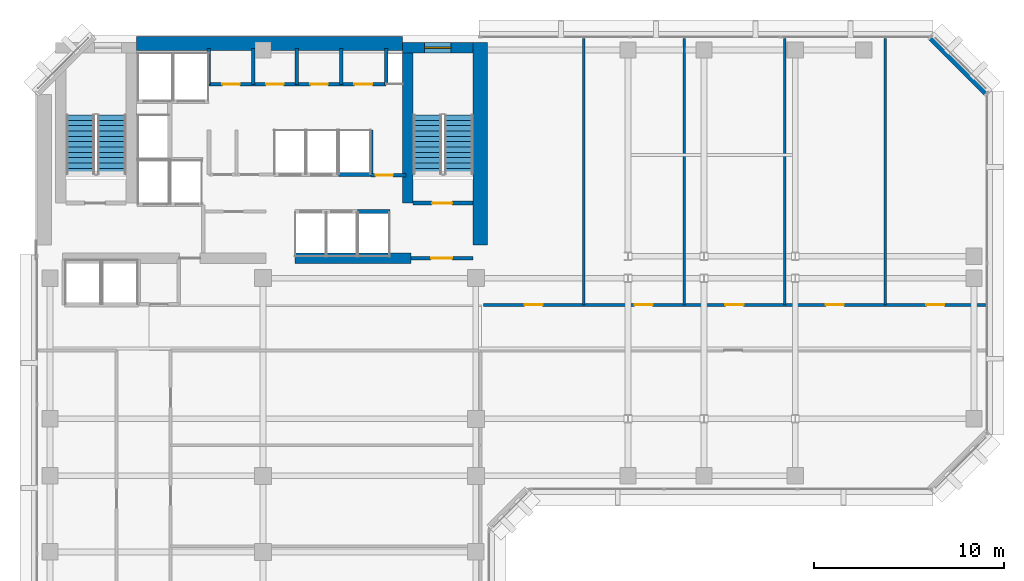
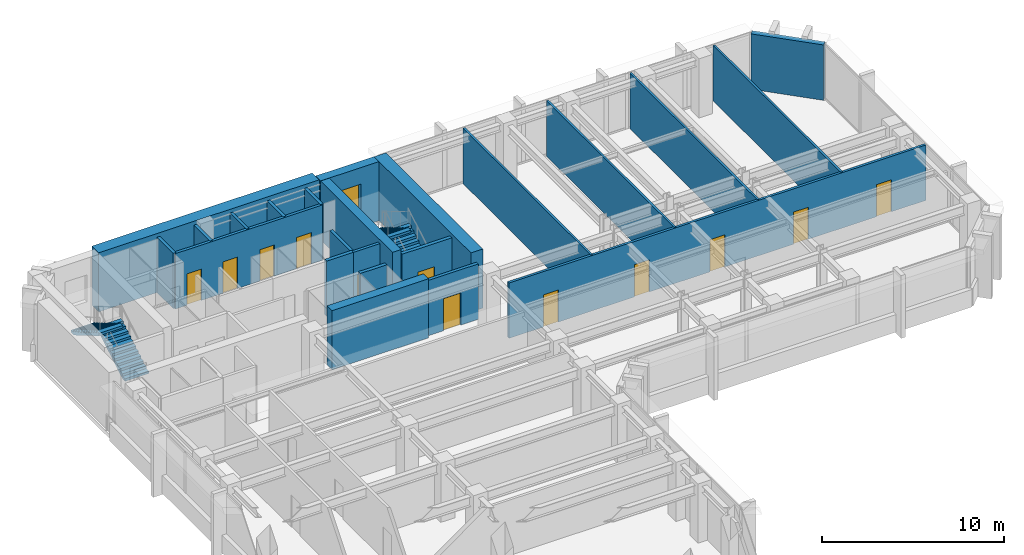
# One storey, part 8 of 11: 23 walls, 12 doors, 4 stair flights, 1 window, 13 openings, 2 elements without a shape of their own.
"""IFC4 building model written with IfcOpenShell, lengths in metres."""

from ifc_helpers import new_model, si_unit, direction, frame, frame_2d, origin, place, context, subcontext, project, spatial, polyline, rectangle, outline, extrude, material, layer, layer_set, type_object, element, fill, aggregate, save


model = new_model("IFC4")

# Units and contexts
model_context = context("Model", 3, precision=1e-05, world=origin(), true_north=direction((0.0, 1.0)))
body_context = subcontext(model_context, "Body", "Model", "MODEL_VIEW")
ifc_project = project(units=[si_unit("LENGTHUNIT", "METRE"), si_unit("AREAUNIT", "SQUARE_METRE"), si_unit("VOLUMEUNIT", "CUBIC_METRE"), si_unit("PLANEANGLEUNIT", "RADIAN"), si_unit("MASSUNIT", "GRAM", prefix="KILO")], contexts=[model_context])

# Site, building, storey
site_placement = place(None, origin())
site = spatial("IfcSite", under=ifc_project, at=site_placement, CompositionType="ELEMENT")
building_placement = place(site_placement, origin())
building = spatial("IfcBuilding", under=site, at=building_placement, Name="Kefirva Bronze Tower", CompositionType="ELEMENT")
storey_placement = place(building_placement, frame((0.0, 0.0, 187.43994140625)))
storey = spatial("IfcBuildingStorey", under=building, at=storey_placement, Name="L45", CompositionType="ELEMENT", Elevation=187.43994140625)

# Walls
ifc_material_1 = material(Name="Gypsum acoustic partition")
ifc_layer_1 = layer(ifc_material_1, 0.1298828125, Name="Gypsum acoustic partition")
ifc_layer_set_1 = layer_set([ifc_layer_1], Name="Gypsum acoustic partition")
wall_type_1 = type_object("IfcWallType", Name="Acoustic Office Partition 130mm", PredefinedType="PARTITIONING", material=ifc_layer_set_1)
for number, where, z_axis, x_axis, name in (
    (1, (28.882080078125, 31.800048828125, 0.0), (0.0, 0.0, 1.0), (0.0, 1.0, 0.0), "L45 Partition W-L45-END1"),
    (2, (34.1640625, 31.800048828125, 0.0), (0.0, 0.0, 1.0), (0.0, 1.0, 0.0), "L45 Partition W-L45-END2"),
    (3, (39.446044921875, 31.800048828125, 0.0), (0.0, 0.0, 1.0), (0.0, 1.0, 0.0), "L45 Partition W-L45-END3"),
    (4, (44.72802734375, 31.800048828125, 0.0), (0.0, 0.0, 1.0), (0.0, 1.0, 0.0), "L45 Partition W-L45-END4"),
):
    element("IfcWall", number, at=place(storey_placement, frame(where, z_axis=z_axis, x_axis=x_axis)), inside=storey, type_object=wall_type_1, Name=name, PredefinedType="PARTITIONING", context=body_context, shape_type="SweptSolid", body=[
        extrude(rectangle(XDim=14.010009765625, YDim=0.1298828125, at=frame_2d((7.0048828125, 0.0))), origin(), (0.0, 0.0, 1.0), 3.7099609375),
    ])

# Wall, opening, door
ifc_material_2 = material(Name="Gypsum fireboard shaftwall")
ifc_layer_2 = layer(ifc_material_2, 0.219970703125, Name="Gypsum fireboard shaftwall")
ifc_layer_set_2 = layer_set([ifc_layer_2], Name="Gypsum fireboard shaftwall")
wall_type_2 = type_object("IfcWallType", Name="Fire-Rated Shaft Enclosure Wall 220mm", PredefinedType="PARTITIONING", material=ifc_layer_set_2)
wall_1_placement = place(storey_placement, frame((19.89990234375, 37.14990234375, 0.0), z_axis=(0.0, 0.0, 1.0), x_axis=(1.0, 0.0, 0.0)))
wall_1 = element("IfcWall", 5, at=wall_1_placement, inside=storey, type_object=wall_type_2, Name="L45 Partition W-L45-ST2S", PredefinedType="PARTITIONING", context=body_context, shape_type="SweptSolid", body=[
    extrude(rectangle(XDim=3.150146484375, YDim=0.219970703125, at=frame_2d((1.5751953125, 0.0))), origin(), (0.0, 0.0, 1.0), 3.7099609375),
])
opening_1_placement = place(wall_1_placement, frame((2.050048828125, 0.0, 0.0), z_axis=(0.0, 0.0, 1.0), x_axis=(-1.0, 0.0, 0.0)))
opening_1 = element("IfcOpeningElement", 6, at=opening_1_placement, cuts=wall_1, Name="Opening L45-D003", PredefinedType="OPENING", context=body_context, shape_type="SweptSolid", body=[
    extrude(rectangle(XDim=1.050048828125, YDim=2.14990234375, at=frame_2d((0.52490234375, 1.074951171875))), frame((0.0, 0.1201171875, 0.0), z_axis=(0.0, -1.0, 0.0), x_axis=(1.0, 0.0, 0.0)), (0.0, 0.0, 1.0), 0.239990234375),
])
ifc_material_3 = material(Name="Painted galvanized steel", Category="steel")
door_type_1 = type_object("IfcDoorType", Name="Fire Stair Enclosure Door 1050x2150 FD90S", OperationType="NOTDEFINED", PredefinedType="DOOR", material=ifc_material_3)
door_1_placement = place(opening_1_placement, origin())
door_1 = element("IfcDoor", 7, at=door_1_placement, inside=storey, type_object=door_type_1, Name="Door L45-D003", OperationType="SINGLE_SWING_LEFT", OverallHeight=2.14990234375, OverallWidth=1.050048828125, PredefinedType="DOOR", context=body_context, shape_type="SweptSolid", body=[
    extrude(rectangle(XDim=1.050048828125, YDim=2.14990234375, at=frame_2d((0.52490234375, 1.074951171875))), frame((0.0, 0.02490234375, 0.0), z_axis=(0.0, -1.0, 0.0), x_axis=(1.0, 0.0, 0.0)), (0.0, 0.0, 1.0), 0.050048828125),
])
fill(opening_1, door_1)

# Walls
wall_2_placement = place(storey_placement, frame((17.679931640625, 38.64990234375, 0.0), z_axis=(0.0, 0.0, 1.0), x_axis=(0.0, 1.0, 0.0)))
element("IfcWall", 8, at=wall_2_placement, inside=storey, type_object=wall_type_2, Name="L45 Partition W-L45-HP2E", PredefinedType="PARTITIONING", context=body_context, shape_type="SweptSolid", body=[
    extrude(rectangle(XDim=2.35009765625, YDim=0.199951171875, at=frame_2d((1.175048828125, 0.0))), origin(), (0.0, 0.0, 1.0), 3.7099609375),
])
wall_3_placement = place(storey_placement, frame((16.97998046875, 36.699951171875, 0.0), z_axis=(0.0, 0.0, 1.0), x_axis=(1.0, 0.0, 0.0)))
element("IfcWall", 9, at=wall_3_placement, inside=storey, type_object=wall_type_2, Name="L45 Partition W-L45-HPS", PredefinedType="PARTITIONING", context=body_context, shape_type="SweptSolid", body=[
    extrude(rectangle(XDim=1.699951171875, YDim=0.219970703125, at=frame_2d((0.85009765625, 0.0))), origin(), (0.0, 0.0, 1.0), 3.7099609375),
])
wall_4_placement = place(storey_placement, frame((15.97998046875, 38.64990234375, 0.0), z_axis=(0.0, 0.0, 1.0), x_axis=(1.0, 0.0, 0.0)))
element("IfcWall", 10, at=wall_4_placement, inside=storey, type_object=wall_type_2, Name="L45 Partition W-L45-HPN", PredefinedType="PARTITIONING", context=body_context, shape_type="SweptSolid", body=[
    extrude(rectangle(XDim=1.719970703125, YDim=0.219970703125, at=frame_2d((0.85986328125, 0.0))), origin(), (0.0, 0.0, 1.0), 3.7099609375),
])

# Wall, opening, door
ifc_material_4 = material(Name="Gypsum fireboard barrier")
ifc_layer_3 = layer(ifc_material_4, 0.199951171875, Name="Gypsum fireboard barrier")
ifc_layer_set_3 = layer_set([ifc_layer_3], Name="Gypsum fireboard barrier")
wall_type_3 = type_object("IfcWallType", Name="Firefighting Lobby Barrier Wall 200mm", PredefinedType="PARTITIONING", material=ifc_layer_set_3)
wall_5_placement = place(storey_placement, frame((19.800048828125, 34.25, 0.0), z_axis=(0.0, 0.0, 1.0), x_axis=(1.0, 0.0, 0.0)))
wall_5 = element("IfcWall", 11, at=wall_5_placement, inside=storey, type_object=wall_type_3, Name="L45 Partition W-L45-ST2F", PredefinedType="PARTITIONING", context=body_context, shape_type="SweptSolid", body=[
    extrude(rectangle(XDim=3.25, YDim=0.199951171875, at=frame_2d((1.625, 0.0))), origin(), (0.0, 0.0, 1.0), 3.7099609375),
])
opening_2_placement = place(wall_5_placement, frame((2.150146484375, 0.0, 0.0), z_axis=(0.0, 0.0, 1.0), x_axis=(-1.0, 0.0, 0.0)))
opening_2 = element("IfcOpeningElement", 12, at=opening_2_placement, cuts=wall_5, Name="Opening L45-D004", PredefinedType="OPENING", context=body_context, shape_type="SweptSolid", body=[
    extrude(rectangle(XDim=1.10009765625, YDim=2.14990234375, at=frame_2d((0.550048828125, 1.074951171875))), frame((0.0, 0.10986328125, 0.0), z_axis=(0.0, -1.0, 0.0), x_axis=(1.0, 0.0, 0.0)), (0.0, 0.0, 1.0), 0.219970703125),
])
door_type_2 = type_object("IfcDoorType", Name="Firefighting Lobby Smoke Door 1100x2150 FD60S", OperationType="NOTDEFINED", PredefinedType="DOOR", material=ifc_material_3)
door_2_placement = place(opening_2_placement, origin())
door_2 = element("IfcDoor", 13, at=door_2_placement, inside=storey, type_object=door_type_2, Name="Door L45-D004", OperationType="SINGLE_SWING_RIGHT", OverallHeight=2.14990234375, OverallWidth=1.10009765625, PredefinedType="DOOR", context=body_context, shape_type="SweptSolid", body=[
    extrude(rectangle(XDim=1.10009765625, YDim=2.14990234375, at=frame_2d((0.550048828125, 1.074951171875))), frame((0.0, 0.02490234375, 0.0), z_axis=(0.0, -1.0, 0.0), x_axis=(1.0, 0.0, 0.0)), (0.0, 0.0, 1.0), 0.050048828125),
])
fill(opening_2, door_2)

wall_6_placement = place(storey_placement, frame((17.679931640625, 38.6201171875, 0.0), z_axis=(0.0, 0.0, 1.0), x_axis=(1.0, 0.0, 0.0)))
wall_6 = element("IfcWall", 14, at=wall_6_placement, inside=storey, type_object=wall_type_3, Name="L45 Partition W-L45-CPASS", PredefinedType="PARTITIONING", context=body_context, shape_type="SweptSolid", body=[
    extrude(rectangle(XDim=1.840087890625, YDim=0.179931640625, at=frame_2d((0.919921875, 0.0))), origin(), (0.0, 0.0, 1.0), 3.7099609375),
])
opening_3_placement = place(wall_6_placement, frame((0.239990234375, 0.0, 0.0)))
opening_3 = element("IfcOpeningElement", 15, at=opening_3_placement, cuts=wall_6, Name="Opening L45-D-CPAS", PredefinedType="OPENING", context=body_context, shape_type="SweptSolid", body=[
    extrude(rectangle(XDim=0.919921875, YDim=2.10009765625, at=frame_2d((0.4599609375, 1.050048828125))), frame((0.0, 0.10009765625, 0.0), z_axis=(0.0, -1.0, 0.0), x_axis=(1.0, 0.0, 0.0)), (0.0, 0.0, 1.0), 0.199951171875),
])
ifc_material_5 = material(Name="Moisture-resistant timber", Category="wood")
door_type_3 = type_object("IfcDoorType", Name="Accessible Sanitary & WC Door 920x2100", OperationType="NOTDEFINED", PredefinedType="DOOR", material=ifc_material_5)
door_3_placement = place(opening_3_placement, origin())
door_3 = element("IfcDoor", 16, at=door_3_placement, inside=storey, type_object=door_type_3, Name="Door L45-D-CPAS", OperationType="SINGLE_SWING_LEFT", OverallHeight=2.10009765625, OverallWidth=0.919921875, PredefinedType="DOOR", context=body_context, shape_type="SweptSolid", body=[
    extrude(rectangle(XDim=0.919921875, YDim=2.10009765625, at=frame_2d((0.4599609375, 1.050048828125))), frame((0.0, 0.02490234375, 0.0), z_axis=(0.0, -1.0, 0.0), x_axis=(1.0, 0.0, 0.0)), (0.0, 0.0, 1.0), 0.050048828125),
])
fill(opening_3, door_3)

# Wall
ifc_material_6 = material(Name="Precast concrete C40/50", Category="concrete")
ifc_layer_4 = layer(ifc_material_6, 0.320068359375, Name="Precast concrete C40/50")
ifc_layer_set_4 = layer_set([ifc_layer_4], Name="Precast concrete C40/50")
wall_type_4 = type_object("IfcWallType", Name="Precast Insulated Exterior Wall 320mm", PredefinedType="SOLIDWALL", material=ifc_layer_set_4)
wall_7_placement = place(storey_placement, frame((50.048095703125, 42.92578125, 0.0), z_axis=(0.0, 0.0, 1.0), x_axis=(-0.707136318428, 0.707077242712, 0.0)))
element("IfcWall", 17, at=wall_7_placement, inside=storey, type_object=wall_type_4, Name="L45 Exterior Facade Wall 4", PredefinedType="SOLIDWALL", context=body_context, shape_type="SweptSolid", body=[
    extrude(rectangle(XDim=4.132568359375, YDim=0.320068359375, at=frame_2d((2.06640625, 0.0))), origin(), (0.0, 0.0, 1.0), 3.7099609375),
])

# Wall, openings, doors
ifc_layer_5 = layer(ifc_material_1, 0.159912109375, Name="Gypsum acoustic partition")
ifc_layer_set_5 = layer_set([ifc_layer_5], Name="Gypsum acoustic partition")
wall_type_5 = type_object("IfcWallType", Name="Protected Corridor Partition 160mm", PredefinedType="PARTITIONING", material=ifc_layer_set_5)
wall_8_placement = place(storey_placement, frame((23.60009765625, 31.800048828125, 0.0), z_axis=(0.0, 0.0, 1.0), x_axis=(1.0, 0.0, 0.0)))
wall_8 = element("IfcWall", 18, at=wall_8_placement, inside=storey, type_object=wall_type_5, Name="L45 Partition W-L45-EWN", PredefinedType="PARTITIONING", context=body_context, shape_type="SweptSolid", body=[
    extrude(rectangle(XDim=26.409912109375, YDim=0.159912109375, at=frame_2d((13.205078125, 0.0))), origin(), (0.0, 0.0, 1.0), 3.7099609375),
])
opening_4_placement = place(wall_8_placement, frame((2.166015625, 0.0, 0.0)))
opening_4 = element("IfcOpeningElement", 19, at=opening_4_placement, cuts=wall_8, Name="Opening L45-D-EN1", PredefinedType="OPENING", context=body_context, shape_type="SweptSolid", body=[
    extrude(rectangle(XDim=0.949951171875, YDim=2.14990234375, at=frame_2d((0.47509765625, 1.074951171875))), frame((0.0, 0.08984375, 0.0), z_axis=(0.0, -1.0, 0.0), x_axis=(1.0, 0.0, 0.0)), (0.0, 0.0, 1.0), 0.179931640625),
])
opening_5_placement = place(wall_8_placement, frame((7.947998046875, 0.0, 0.0)))
opening_5 = element("IfcOpeningElement", 20, at=opening_5_placement, cuts=wall_8, Name="Opening L45-D-EN2", PredefinedType="OPENING", context=body_context, shape_type="SweptSolid", body=[
    extrude(rectangle(XDim=0.949951171875, YDim=2.14990234375, at=frame_2d((0.47509765625, 1.074951171875))), frame((0.0, 0.08984375, 0.0), z_axis=(0.0, -1.0, 0.0), x_axis=(1.0, 0.0, 0.0)), (0.0, 0.0, 1.0), 0.179931640625),
])
opening_6_placement = place(wall_8_placement, frame((12.72998046875, 0.0, 0.0)))
opening_6 = element("IfcOpeningElement", 21, at=opening_6_placement, cuts=wall_8, Name="Opening L45-D-EN3", PredefinedType="OPENING", context=body_context, shape_type="SweptSolid", body=[
    extrude(rectangle(XDim=0.949951171875, YDim=2.14990234375, at=frame_2d((0.47509765625, 1.074951171875))), frame((0.0, 0.08984375, 0.0), z_axis=(0.0, -1.0, 0.0), x_axis=(1.0, 0.0, 0.0)), (0.0, 0.0, 1.0), 0.179931640625),
])
opening_7_placement = place(wall_8_placement, frame((18.011962890625, 0.0, 0.0)))
opening_7 = element("IfcOpeningElement", 22, at=opening_7_placement, cuts=wall_8, Name="Opening L45-D-EN4", PredefinedType="OPENING", context=body_context, shape_type="SweptSolid", body=[
    extrude(rectangle(XDim=0.949951171875, YDim=2.14990234375, at=frame_2d((0.47509765625, 1.074951171875))), frame((0.0, 0.08984375, 0.0), z_axis=(0.0, -1.0, 0.0), x_axis=(1.0, 0.0, 0.0)), (0.0, 0.0, 1.0), 0.179931640625),
])
opening_8_placement = place(wall_8_placement, frame((23.2939453125, 0.0, 0.0)))
opening_8 = element("IfcOpeningElement", 23, at=opening_8_placement, cuts=wall_8, Name="Opening L45-D-EN5", PredefinedType="OPENING", context=body_context, shape_type="SweptSolid", body=[
    extrude(rectangle(XDim=0.949951171875, YDim=2.14990234375, at=frame_2d((0.47509765625, 1.074951171875))), frame((0.0, 0.08984375, 0.0), z_axis=(0.0, -1.0, 0.0), x_axis=(1.0, 0.0, 0.0)), (0.0, 0.0, 1.0), 0.179931640625),
])
ifc_material_7 = material(Name="Acoustic hardwood oak", Category="wood")
door_type_4 = type_object("IfcDoorType", Name="Office & Meeting Room Door 950x2150", OperationType="NOTDEFINED", PredefinedType="DOOR", material=ifc_material_7)
door_4_placement = place(opening_4_placement, origin())
door_4 = element("IfcDoor", 24, at=door_4_placement, inside=storey, type_object=door_type_4, Name="Door L45-D-EN1", OperationType="SINGLE_SWING_LEFT", OverallHeight=2.14990234375, OverallWidth=0.949951171875, PredefinedType="DOOR", context=body_context, shape_type="SweptSolid", body=[
    extrude(rectangle(XDim=0.949951171875, YDim=2.14990234375, at=frame_2d((0.47509765625, 1.074951171875))), frame((0.0, 0.02490234375, 0.0), z_axis=(0.0, -1.0, 0.0), x_axis=(1.0, 0.0, 0.0)), (0.0, 0.0, 1.0), 0.050048828125),
])
fill(opening_4, door_4)
door_5_placement = place(opening_5_placement, origin())
door_5 = element("IfcDoor", 25, at=door_5_placement, inside=storey, type_object=door_type_4, Name="Door L45-D-EN2", OperationType="SINGLE_SWING_RIGHT", OverallHeight=2.14990234375, OverallWidth=0.949951171875, PredefinedType="DOOR", context=body_context, shape_type="SweptSolid", body=[
    extrude(rectangle(XDim=0.949951171875, YDim=2.14990234375, at=frame_2d((0.47509765625, 1.074951171875))), frame((0.0, 0.02490234375, 0.0), z_axis=(0.0, -1.0, 0.0), x_axis=(1.0, 0.0, 0.0)), (0.0, 0.0, 1.0), 0.050048828125),
])
fill(opening_5, door_5)
door_6_placement = place(opening_6_placement, origin())
door_6 = element("IfcDoor", 26, at=door_6_placement, inside=storey, type_object=door_type_4, Name="Door L45-D-EN3", OperationType="SINGLE_SWING_LEFT", OverallHeight=2.14990234375, OverallWidth=0.949951171875, PredefinedType="DOOR", context=body_context, shape_type="SweptSolid", body=[
    extrude(rectangle(XDim=0.949951171875, YDim=2.14990234375, at=frame_2d((0.47509765625, 1.074951171875))), frame((0.0, 0.02490234375, 0.0), z_axis=(0.0, -1.0, 0.0), x_axis=(1.0, 0.0, 0.0)), (0.0, 0.0, 1.0), 0.050048828125),
])
fill(opening_6, door_6)
door_7_placement = place(opening_7_placement, origin())
door_7 = element("IfcDoor", 27, at=door_7_placement, inside=storey, type_object=door_type_4, Name="Door L45-D-EN4", OperationType="SINGLE_SWING_RIGHT", OverallHeight=2.14990234375, OverallWidth=0.949951171875, PredefinedType="DOOR", context=body_context, shape_type="SweptSolid", body=[
    extrude(rectangle(XDim=0.949951171875, YDim=2.14990234375, at=frame_2d((0.47509765625, 1.074951171875))), frame((0.0, 0.02490234375, 0.0), z_axis=(0.0, -1.0, 0.0), x_axis=(1.0, 0.0, 0.0)), (0.0, 0.0, 1.0), 0.050048828125),
])
fill(opening_7, door_7)
door_8_placement = place(opening_8_placement, origin())
door_8 = element("IfcDoor", 28, at=door_8_placement, inside=storey, type_object=door_type_4, Name="Door L45-D-EN5", OperationType="SINGLE_SWING_LEFT", OverallHeight=2.14990234375, OverallWidth=0.949951171875, PredefinedType="DOOR", context=body_context, shape_type="SweptSolid", body=[
    extrude(rectangle(XDim=0.949951171875, YDim=2.14990234375, at=frame_2d((0.47509765625, 1.074951171875))), frame((0.0, 0.02490234375, 0.0), z_axis=(0.0, -1.0, 0.0), x_axis=(1.0, 0.0, 0.0)), (0.0, 0.0, 1.0), 0.050048828125),
])
fill(opening_8, door_8)

# Wall, opening, window
ifc_material_8 = material(Name="Concrete C50/60", Category="concrete")
ifc_layer_6 = layer(ifc_material_8, 0.550048828125, Name="Concrete C50/60")
ifc_layer_set_6 = layer_set([ifc_layer_6], Name="Concrete C50/60")
wall_type_6 = type_object("IfcWallType", Name="RC Rear Core Exterior Wall 550mm", PredefinedType="SHEAR", material=ifc_layer_set_6)
wall_9_placement = place(storey_placement, frame((19.35009765625, 45.320068359375, 0.0), z_axis=(0.0, 0.0, 1.0), x_axis=(1.0, 0.0, 0.0)))
wall_9 = element("IfcWall", 29, at=wall_9_placement, inside=storey, type_object=wall_type_6, Name="L45 Stair 2 North Shear Wall", PredefinedType="SHEAR", context=body_context, shape_type="SweptSolid", body=[
    extrude(rectangle(XDim=3.68994140625, YDim=0.550048828125, at=frame_2d((1.844970703125, 0.0))), origin(), (0.0, 0.0, 1.0), 3.9599609375),
])
opening_9_placement = place(wall_9_placement, frame((1.14990234375, 0.0, 1.050048828125)))
opening_9 = element("IfcOpeningElement", 30, at=opening_9_placement, cuts=wall_9, Name="Opening WN-03", PredefinedType="OPENING", context=body_context, shape_type="SweptSolid", body=[
    extrude(rectangle(XDim=1.39990234375, YDim=1.800048828125, at=frame_2d((0.699951171875, 0.89990234375))), frame((0.0, 0.28515625, 0.0), z_axis=(0.0, -1.0, 0.0), x_axis=(1.0, 0.0, 0.0)), (0.0, 0.0, 1.0), 0.570068359375),
])
ifc_material_9 = material(Name="Laminated low-E double glazing", Category="glass")
window_type = type_object("IfcWindowType", Name="Rear-Core Stair Daylight Window 1400x1800", PartitioningType="SINGLE_PANEL", PredefinedType="WINDOW", material=ifc_material_9)
window_placement = place(opening_9_placement, origin())
window = element("IfcWindow", 31, at=window_placement, inside=storey, type_object=window_type, Name="L45 Stair 2 Daylight Window", OverallHeight=1.800048828125, OverallWidth=1.39990234375, PartitioningType="SINGLE_PANEL", PredefinedType="WINDOW", context=body_context, shape_type="SweptSolid", body=[
    extrude(rectangle(XDim=1.39990234375, YDim=1.800048828125, at=frame_2d((0.699951171875, 0.89990234375))), frame((0.0, 0.030029296875, 0.0), z_axis=(0.0, -1.0, 0.0), x_axis=(1.0, 0.0, 0.0)), (0.0, 0.0, 1.0), 0.06005859375),
])
fill(opening_9, window)

# Walls
ifc_material_10 = material(Name="Concrete C60/75", Category="concrete")
ifc_layer_7 = layer(ifc_material_10, 0.75, Name="Concrete C60/75")
ifc_layer_set_7 = layer_set([ifc_layer_7], Name="Concrete C60/75")
wall_type_7 = type_object("IfcWallType", Name="RC Rear Core Exterior Wall 750mm", PredefinedType="SHEAR", material=ifc_layer_set_7)
wall_10_placement = place(storey_placement, frame((5.360107421875, 45.550048828125, 0.0), z_axis=(0.0, 0.0, 1.0), x_axis=(1.0, 0.0, 0.0)))
element("IfcWall", 32, at=wall_10_placement, inside=storey, type_object=wall_type_7, Name="L45 Rear Core North Shear Wall", PredefinedType="SHEAR", context=body_context, shape_type="SweptSolid", body=[
    extrude(rectangle(XDim=13.97998046875, YDim=0.75, at=frame_2d((6.989990234375, 0.0))), origin(), (0.0, 0.0, 1.0), 3.9599609375),
])
ifc_layer_8 = layer(ifc_material_8, 0.550048828125, Name="Concrete C50/60")
ifc_layer_set_8 = layer_set([ifc_layer_8], Name="Concrete C50/60")
wall_type_8 = type_object("IfcWallType", Name="RC Rear Core Interior Wall 550mm", PredefinedType="SHEAR", material=ifc_layer_set_8)
wall_11_placement = place(storey_placement, frame((19.6201171875, 37.14990234375, 0.0), z_axis=(0.0, 0.0, 1.0), x_axis=(0.0, 1.0, 0.0)))
element("IfcWall", 33, at=wall_11_placement, inside=storey, type_object=wall_type_8, Name="L45 Stair 2 West Shear Wall", PredefinedType="SHEAR", context=body_context, shape_type="SweptSolid", body=[
    extrude(rectangle(XDim=7.89013671875, YDim=0.550048828125, at=frame_2d((3.945068359375, 0.0))), origin(), (0.0, 0.0, 1.0), 3.9599609375),
])
ifc_layer_9 = layer(ifc_material_10, 0.75, Name="Concrete C60/75")
ifc_layer_set_9 = layer_set([ifc_layer_9], Name="Concrete C60/75")
wall_type_9 = type_object("IfcWallType", Name="RC Rear Core Interior Wall 750mm", PredefinedType="SHEAR", material=ifc_layer_set_9)
wall_12_placement = place(storey_placement, frame((23.425048828125, 34.949951171875, 0.0), z_axis=(0.0, 0.0, 1.0), x_axis=(0.0, 1.0, 0.0)))
element("IfcWall", 34, at=wall_12_placement, inside=storey, type_object=wall_type_9, Name="L45 Rear Core East Shear Wall", PredefinedType="SHEAR", context=body_context, shape_type="SweptSolid", body=[
    extrude(rectangle(XDim=10.64013671875, YDim=0.75, at=frame_2d((5.320068359375, 0.0))), origin(), (0.0, 0.0, 1.0), 3.9599609375),
])
wall_13_placement = place(storey_placement, frame((13.679931640625, 34.25, 0.0), z_axis=(0.0, 0.0, 1.0), x_axis=(1.0, 0.0, 0.0)))
element("IfcWall", 35, at=wall_13_placement, inside=storey, type_object=wall_type_9, Name="L45 Rear Core South-East Shear Wall", PredefinedType="SHEAR", context=body_context, shape_type="SweptSolid", body=[
    extrude(rectangle(XDim=6.1201171875, YDim=0.550048828125, at=frame_2d((3.06005859375, 0.0))), origin(), (0.0, 0.0, 1.0), 3.9599609375),
])

# Wall, openings, doors
ifc_material_11 = material(Name="Moisture-resistant partition")
ifc_layer_10 = layer(ifc_material_11, 0.179931640625, Name="Moisture-resistant partition")
ifc_layer_set_10 = layer_set([ifc_layer_10], Name="Moisture-resistant partition")
wall_type_10 = type_object("IfcWallType", Name="Sanitary Plumbing Chase Wall 180mm", PredefinedType="PLUMBINGWALL", material=ifc_layer_set_10)
wall_14_placement = place(storey_placement, frame((9.14990234375, 43.39990234375, 0.0), z_axis=(0.0, 0.0, 1.0), x_axis=(1.0, 0.0, 0.0)))
wall_14 = element("IfcWall", 36, at=wall_14_placement, inside=storey, type_object=wall_type_10, Name="L45 Partition W-L45-SVCS", PredefinedType="PLUMBINGWALL", context=body_context, shape_type="SweptSolid", body=[
    extrude(rectangle(XDim=9.330078125, YDim=0.179931640625, at=frame_2d((4.6650390625, 0.0))), origin(), (0.0, 0.0, 1.0), 3.7099609375),
])
opening_10_placement = place(wall_14_placement, frame((0.719970703125, 0.0, 0.0)))
opening_10 = element("IfcOpeningElement", 37, at=opening_10_placement, cuts=wall_14, Name="Opening L45-D-CSVC1", PredefinedType="OPENING", context=body_context, shape_type="SweptSolid", body=[
    extrude(rectangle(XDim=0.919921875, YDim=2.10009765625, at=frame_2d((0.4599609375, 1.050048828125))), frame((0.0, 0.10009765625, 0.0), z_axis=(0.0, -1.0, 0.0), x_axis=(1.0, 0.0, 0.0)), (0.0, 0.0, 1.0), 0.199951171875),
])
opening_11_placement = place(wall_14_placement, frame((3.02001953125, 0.0, 0.0)))
opening_11 = element("IfcOpeningElement", 38, at=opening_11_placement, cuts=wall_14, Name="Opening L45-D-CSVC2", PredefinedType="OPENING", context=body_context, shape_type="SweptSolid", body=[
    extrude(rectangle(XDim=0.919921875, YDim=2.10009765625, at=frame_2d((0.4599609375, 1.050048828125))), frame((0.0, 0.10009765625, 0.0), z_axis=(0.0, -1.0, 0.0), x_axis=(1.0, 0.0, 0.0)), (0.0, 0.0, 1.0), 0.199951171875),
])
opening_12_placement = place(wall_14_placement, frame((5.340087890625, 0.0, 0.0)))
opening_12 = element("IfcOpeningElement", 39, at=opening_12_placement, cuts=wall_14, Name="Opening L45-D-CSVC3", PredefinedType="OPENING", context=body_context, shape_type="SweptSolid", body=[
    extrude(rectangle(XDim=0.919921875, YDim=2.10009765625, at=frame_2d((0.4599609375, 1.050048828125))), frame((0.0, 0.10009765625, 0.0), z_axis=(0.0, -1.0, 0.0), x_axis=(1.0, 0.0, 0.0)), (0.0, 0.0, 1.0), 0.199951171875),
])
opening_13_placement = place(wall_14_placement, frame((7.659912109375, 0.0, 0.0)))
opening_13 = element("IfcOpeningElement", 40, at=opening_13_placement, cuts=wall_14, Name="Opening L45-D-CSVC4", PredefinedType="OPENING", context=body_context, shape_type="SweptSolid", body=[
    extrude(rectangle(XDim=0.949951171875, YDim=2.10009765625, at=frame_2d((0.47509765625, 1.050048828125))), frame((0.0, 0.10009765625, 0.0), z_axis=(0.0, -1.0, 0.0), x_axis=(1.0, 0.0, 0.0)), (0.0, 0.0, 1.0), 0.199951171875),
])
door_9_placement = place(opening_10_placement, origin())
door_9 = element("IfcDoor", 41, at=door_9_placement, inside=storey, type_object=door_type_3, Name="Door L45-D-CSVC1", OperationType="SINGLE_SWING_RIGHT", OverallHeight=2.10009765625, OverallWidth=0.919921875, PredefinedType="DOOR", context=body_context, shape_type="SweptSolid", body=[
    extrude(rectangle(XDim=0.919921875, YDim=2.10009765625, at=frame_2d((0.4599609375, 1.050048828125))), frame((0.0, 0.02490234375, 0.0), z_axis=(0.0, -1.0, 0.0), x_axis=(1.0, 0.0, 0.0)), (0.0, 0.0, 1.0), 0.050048828125),
])
fill(opening_10, door_9)
door_10_placement = place(opening_11_placement, origin())
door_10 = element("IfcDoor", 42, at=door_10_placement, inside=storey, type_object=door_type_3, Name="Door L45-D-CSVC2", OperationType="SINGLE_SWING_LEFT", OverallHeight=2.10009765625, OverallWidth=0.919921875, PredefinedType="DOOR", context=body_context, shape_type="SweptSolid", body=[
    extrude(rectangle(XDim=0.919921875, YDim=2.10009765625, at=frame_2d((0.4599609375, 1.050048828125))), frame((0.0, 0.02490234375, 0.0), z_axis=(0.0, -1.0, 0.0), x_axis=(1.0, 0.0, 0.0)), (0.0, 0.0, 1.0), 0.050048828125),
])
fill(opening_11, door_10)
door_11_placement = place(opening_12_placement, origin())
door_11 = element("IfcDoor", 43, at=door_11_placement, inside=storey, type_object=door_type_3, Name="Door L45-D-CSVC3", OperationType="SINGLE_SWING_RIGHT", OverallHeight=2.10009765625, OverallWidth=0.919921875, PredefinedType="DOOR", context=body_context, shape_type="SweptSolid", body=[
    extrude(rectangle(XDim=0.919921875, YDim=2.10009765625, at=frame_2d((0.4599609375, 1.050048828125))), frame((0.0, 0.02490234375, 0.0), z_axis=(0.0, -1.0, 0.0), x_axis=(1.0, 0.0, 0.0)), (0.0, 0.0, 1.0), 0.050048828125),
])
fill(opening_12, door_11)
door_type_5 = type_object("IfcDoorType", Name="Riser & Plant Shaft Fire Door 950x2100 FD60S", OperationType="NOTDEFINED", PredefinedType="DOOR", material=ifc_material_3)
door_12_placement = place(opening_13_placement, origin())
door_12 = element("IfcDoor", 44, at=door_12_placement, inside=storey, type_object=door_type_5, Name="Door L45-D-CSVC4", OperationType="SINGLE_SWING_LEFT", OverallHeight=2.10009765625, OverallWidth=0.949951171875, PredefinedType="DOOR", context=body_context, shape_type="SweptSolid", body=[
    extrude(rectangle(XDim=0.949951171875, YDim=2.10009765625, at=frame_2d((0.47509765625, 1.050048828125))), frame((0.0, 0.02490234375, 0.0), z_axis=(0.0, -1.0, 0.0), x_axis=(1.0, 0.0, 0.0)), (0.0, 0.0, 1.0), 0.050048828125),
])
fill(opening_13, door_12)

# Walls
for number, where, z_axis, x_axis, name in (
    (45, (9.14990234375, 43.39990234375, 0.0), (0.0, 0.0, 1.0), (0.0, 1.0, 0.0), "L45 Partition W-L45-SVCW"),
    (46, (18.47998046875, 43.39990234375, 0.0), (0.0, 0.0, 1.0), (0.0, 1.0, 0.0), "L45 Partition W-L45-SVCE"),
    (47, (11.47998046875, 43.39990234375, 0.0), (0.0, 0.0, 1.0), (0.0, 1.0, 0.0), "L45 Partition W-L45-CSVD-1"),
    (48, (13.780029296875, 43.39990234375, 0.0), (0.0, 0.0, 1.0), (0.0, 1.0, 0.0), "L45 Partition W-L45-CSVD-2"),
    (49, (16.1201171875, 43.39990234375, 0.0), (0.0, 0.0, 1.0), (0.0, 1.0, 0.0), "L45 Partition W-L45-CSVD-3"),
):
    element("IfcWall", number, at=place(storey_placement, frame(where, z_axis=z_axis, x_axis=x_axis)), inside=storey, type_object=wall_type_10, Name=name, PredefinedType="PLUMBINGWALL", context=body_context, shape_type="SweptSolid", body=[
        extrude(rectangle(XDim=1.880126953125, YDim=0.179931640625, at=frame_2d((0.93994140625, 0.0))), origin(), (0.0, 0.0, 1.0), 3.7099609375),
    ])

# Stair, stair flights
ifc_material_12 = material(Name="Concrete C40/50", Category="concrete")
stair_type = type_object("IfcStairType", Name="RC Dogleg Protected Stair 24R", PredefinedType="HALF_TURN_STAIR", material=ifc_material_12)
stair_1_placement = place(storey_placement, origin())
stair_1 = element("IfcStair", 50, at=stair_1_placement, inside=storey, type_object=stair_type, Name="L45 Protected Exit Stair 1", PredefinedType="HALF_TURN_STAIR")
stair_flight_type = type_object("IfcStairFlightType", Name="RC Straight Stair Flight 24R", PredefinedType="STRAIGHT", material=ifc_material_12)
stair_flight_1_placement = place(storey_placement, frame((4.050048828125, 38.699951171875, 0.0), z_axis=(0.0, 0.0, 1.0), x_axis=(0.0, 1.0, 0.0)))
stair_flight_1 = element("IfcStairFlight", 51, at=stair_flight_1_placement, type_object=stair_flight_type, Name="ST-1 flight 1", NumberOfRisers=12, NumberOfTreads=11, PredefinedType="STRAIGHT", RiserHeight=0.165, TreadLength=0.28, context=body_context, shape_type="SweptSolid", body=[
    extrude(outline(polyline([(0.0, 0.0), (0.0, 0.1650390625), (0.280029296875, 0.1650390625), (0.280029296875, 0.330078125), (0.56005859375, 0.330078125), (0.56005859375, 0.4951171875), (0.840087890625, 0.4951171875), (0.840087890625, 0.659912109375), (1.1201171875, 0.659912109375), (1.1201171875, 0.824951171875), (1.39990234375, 0.824951171875), (1.39990234375, 0.989990234375), (1.679931640625, 0.989990234375), (1.679931640625, 1.155029296875), (1.9599609375, 1.155029296875), (1.9599609375, 1.320068359375), (2.239990234375, 1.320068359375), (2.239990234375, 1.485107421875), (2.52001953125, 1.485107421875), (2.52001953125, 1.64990234375), (2.800048828125, 1.64990234375), (2.800048828125, 1.81494140625), (3.080078125, 1.81494140625), (3.080078125, 1.97998046875), (3.080078125, 1.64111328125), (0.295166015625, 0.0), (0.0, 0.0)])), frame((0.0, 0.75, 0.0), z_axis=(0.0, -1.0, 0.0), x_axis=(1.0, 0.0, 0.0)), (0.0, 0.0, 1.0), 1.5),
])
stair_flight_2_placement = place(storey_placement, frame((2.39990234375, 41.780029296875, 1.97998046875), z_axis=(0.0, 0.0, 1.0), x_axis=(0.0, -1.0, 0.0)))
stair_flight_2 = element("IfcStairFlight", 52, at=stair_flight_2_placement, type_object=stair_flight_type, Name="ST-1 flight 2", NumberOfRisers=12, NumberOfTreads=11, PredefinedType="STRAIGHT", RiserHeight=0.165, TreadLength=0.28, context=body_context, shape_type="SweptSolid", body=[
    extrude(outline(polyline([(0.0, 0.0), (0.0, 0.1650390625), (0.280029296875, 0.1650390625), (0.280029296875, 0.330078125), (0.56005859375, 0.330078125), (0.56005859375, 0.4951171875), (0.840087890625, 0.4951171875), (0.840087890625, 0.659912109375), (1.1201171875, 0.659912109375), (1.1201171875, 0.824951171875), (1.39990234375, 0.824951171875), (1.39990234375, 0.989990234375), (1.679931640625, 0.989990234375), (1.679931640625, 1.155029296875), (1.9599609375, 1.155029296875), (1.9599609375, 1.320068359375), (2.239990234375, 1.320068359375), (2.239990234375, 1.485107421875), (2.52001953125, 1.485107421875), (2.52001953125, 1.64990234375), (2.800048828125, 1.64990234375), (2.800048828125, 1.81494140625), (3.080078125, 1.81494140625), (3.080078125, 1.97998046875), (3.080078125, 1.64111328125), (0.295166015625, 0.0), (0.0, 0.0)])), frame((0.0, 0.75, 0.0), z_axis=(0.0, -1.0, 0.0), x_axis=(1.0, 0.0, 0.0)), (0.0, 0.0, 1.0), 1.5),
])
aggregate(stair_1, [stair_flight_1, stair_flight_2])

stair_2_placement = place(storey_placement, origin())
stair_2 = element("IfcStair", 53, at=stair_2_placement, inside=storey, type_object=stair_type, Name="L45 Protected Exit Stair 2", PredefinedType="HALF_TURN_STAIR")
stair_flight_3_placement = place(storey_placement, frame((22.300048828125, 38.699951171875, 0.0), z_axis=(0.0, 0.0, 1.0), x_axis=(0.0, 1.0, 0.0)))
stair_flight_3 = element("IfcStairFlight", 54, at=stair_flight_3_placement, type_object=stair_flight_type, Name="ST-2 flight 1", NumberOfRisers=12, NumberOfTreads=11, PredefinedType="STRAIGHT", RiserHeight=0.165, TreadLength=0.28, context=body_context, shape_type="SweptSolid", body=[
    extrude(outline(polyline([(0.0, 0.0), (0.0, 0.1650390625), (0.280029296875, 0.1650390625), (0.280029296875, 0.330078125), (0.56005859375, 0.330078125), (0.56005859375, 0.4951171875), (0.840087890625, 0.4951171875), (0.840087890625, 0.659912109375), (1.1201171875, 0.659912109375), (1.1201171875, 0.824951171875), (1.39990234375, 0.824951171875), (1.39990234375, 0.989990234375), (1.679931640625, 0.989990234375), (1.679931640625, 1.155029296875), (1.9599609375, 1.155029296875), (1.9599609375, 1.320068359375), (2.239990234375, 1.320068359375), (2.239990234375, 1.485107421875), (2.52001953125, 1.485107421875), (2.52001953125, 1.64990234375), (2.800048828125, 1.64990234375), (2.800048828125, 1.81494140625), (3.080078125, 1.81494140625), (3.080078125, 1.97998046875), (3.080078125, 1.64111328125), (0.295166015625, 0.0), (0.0, 0.0)])), frame((0.0, 0.75, 0.0), z_axis=(0.0, -1.0, 0.0), x_axis=(1.0, 0.0, 0.0)), (0.0, 0.0, 1.0), 1.5),
])
stair_flight_4_placement = place(storey_placement, frame((20.64990234375, 41.780029296875, 1.97998046875), z_axis=(0.0, 0.0, 1.0), x_axis=(0.0, -1.0, 0.0)))
stair_flight_4 = element("IfcStairFlight", 55, at=stair_flight_4_placement, type_object=stair_flight_type, Name="ST-2 flight 2", NumberOfRisers=12, NumberOfTreads=11, PredefinedType="STRAIGHT", RiserHeight=0.165, TreadLength=0.28, context=body_context, shape_type="SweptSolid", body=[
    extrude(outline(polyline([(0.0, 0.0), (0.0, 0.1650390625), (0.280029296875, 0.1650390625), (0.280029296875, 0.330078125), (0.56005859375, 0.330078125), (0.56005859375, 0.4951171875), (0.840087890625, 0.4951171875), (0.840087890625, 0.659912109375), (1.1201171875, 0.659912109375), (1.1201171875, 0.824951171875), (1.39990234375, 0.824951171875), (1.39990234375, 0.989990234375), (1.679931640625, 0.989990234375), (1.679931640625, 1.155029296875), (1.9599609375, 1.155029296875), (1.9599609375, 1.320068359375), (2.239990234375, 1.320068359375), (2.239990234375, 1.485107421875), (2.52001953125, 1.485107421875), (2.52001953125, 1.64990234375), (2.800048828125, 1.64990234375), (2.800048828125, 1.81494140625), (3.080078125, 1.81494140625), (3.080078125, 1.97998046875), (3.080078125, 1.64111328125), (0.295166015625, 0.0), (0.0, 0.0)])), frame((0.0, 0.75, 0.0), z_axis=(0.0, -1.0, 0.0), x_axis=(1.0, 0.0, 0.0)), (0.0, 0.0, 1.0), 1.5),
])
aggregate(stair_2, [stair_flight_3, stair_flight_4])

save(model, "model.ifc")
